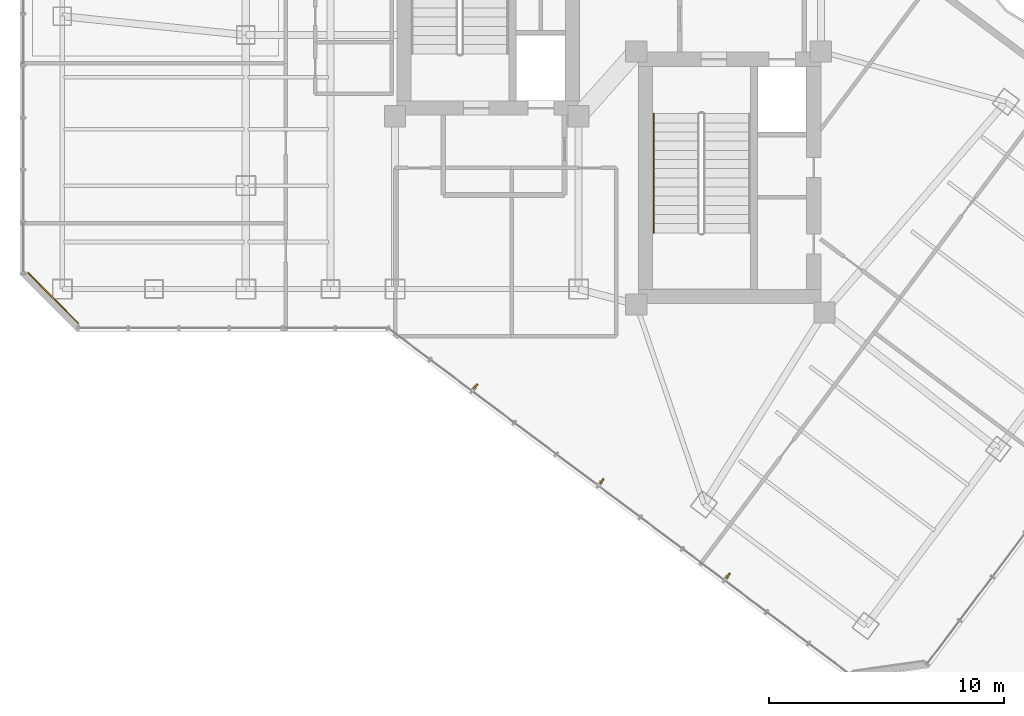
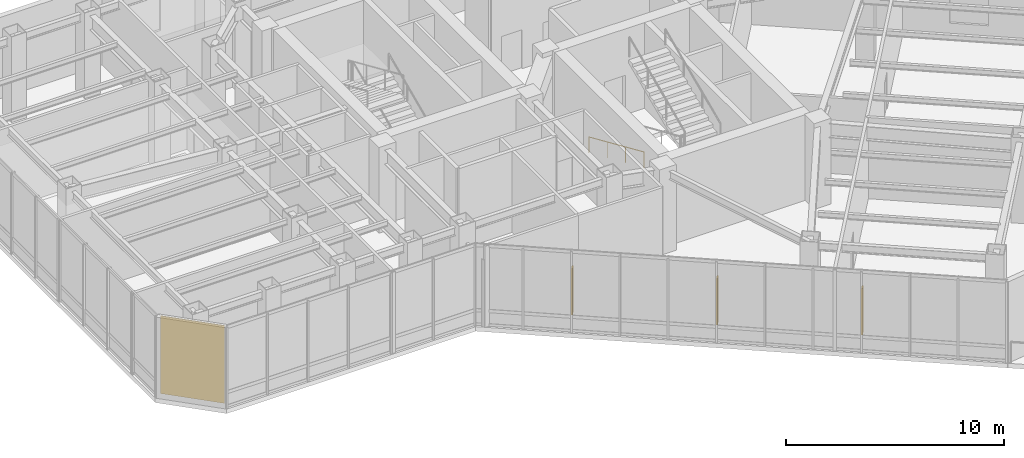
# One storey, part 26 of 30: 3 shading devices, 1 covering, 1 railing.
"""IFC4 building model written with IfcOpenShell, lengths in metres."""

from ifc_helpers import new_model, si_unit, direction, frame, origin, origin_2d, place, context, subcontext, project, spatial, rectangle, circle, extrude, material, layer, layer_set, type_object, element, save


model = new_model("IFC4")

# Units and contexts
model_context = context("Model", 3, precision=1e-05, world=origin(), true_north=direction((0.0, 1.0)))
body_context = subcontext(model_context, "Body", "Model", "MODEL_VIEW")
ifc_project = project(units=[si_unit("LENGTHUNIT", "METRE"), si_unit("AREAUNIT", "SQUARE_METRE"), si_unit("VOLUMEUNIT", "CUBIC_METRE"), si_unit("PLANEANGLEUNIT", "RADIAN"), si_unit("MASSUNIT", "GRAM", prefix="KILO")], contexts=[model_context])

# Site, building, storey
site_placement = place(None, origin())
site = spatial("IfcSite", under=ifc_project, at=site_placement, CompositionType="ELEMENT")
building_placement = place(site_placement, origin())
building = spatial("IfcBuilding", under=site, at=building_placement, Name="Hatsunagi Terrace Concourse", CompositionType="ELEMENT")
storey_placement = place(building_placement, frame((0.0, 0.0, 130.050048828125)))
storey = spatial("IfcBuildingStorey", under=building, at=storey_placement, Name="L34", CompositionType="ELEMENT", Elevation=130.050048828125)

# Railing
ifc_material_1 = material(Name="Stainless steel", Category="steel")
ifc_layer_1 = layer(ifc_material_1, 0.044921875)
ifc_layer_set_1 = layer_set([ifc_layer_1], Name="StairPitchHandrail_Tower2000")
railing_type = type_object("IfcRailingType", Name="StairPitchHandrail_Tower2000", PredefinedType="HANDRAIL", material=ifc_layer_set_1)
railing_placement = place(storey_placement, frame((36.550048828125, 32.659912109375, 0.17138671875)))
element("IfcRailing", 1, at=railing_placement, inside=storey, type_object=railing_type, Name="L34 ST-B stair handrail 1", PredefinedType="HANDRAIL", context=body_context, shape_type="SweptSolid", body=[
    extrude(circle(Radius=0.02392578125, at=origin_2d()), frame((0.0, 0.0, 0.8759765625), z_axis=(0.0, -0.915461880969, 0.402404702373), x_axis=(1.0, 0.0, 0.0)), (0.0, 0.0, 1.0), 5.5380859375),
    extrude(circle(Radius=0.02099609375, at=origin_2d()), origin(), (0.0, 0.0, 1.0), 0.851806640625),
    extrude(circle(Radius=0.02099609375, at=origin_2d()), frame((0.0, -1.68994140625, 0.742919921875)), (0.0, 0.0, 1.0), 0.851806640625),
    extrude(circle(Radius=0.02099609375, at=origin_2d()), frame((0.0, -3.3798828125, 1.485595703125)), (0.0, 0.0, 1.0), 0.851806640625),
    extrude(circle(Radius=0.02099609375, at=origin_2d()), frame((0.0, -5.06982421875, 2.228515625)), (0.0, 0.0, 1.0), 0.851806640625),
])

# Shading devices
ifc_material_2 = material(Name="Extruded Unglazed Terracotta Baguette", Category="masonry")
shading_device_type = type_object("IfcShadingDeviceType", Name="TerracottaFinScreen_260x70", PredefinedType="USERDEFINED", material=ifc_material_2)
for number, where, z_axis, x_axis, name in (
    (2, (39.702880859375, 13.010986328125, 0.849853515625), (0.0, 0.0, 1.0), (-0.800005211305, 0.599993051531, 0.0), "Terracotta Baguette Fin Screen SCR-01"),
    (3, (34.337890625, 17.033935546875, 0.849853515625), (0.0, 0.0, 1.0), (-0.800005211305, 0.599993051531, 0.0), "Terracotta Baguette Fin Screen SCR-01"),
    (4, (28.97412109375, 21.05810546875, 0.849853515625), (0.0, 0.0, 1.0), (-0.800005211305, 0.599993051531, 0.0), "Terracotta Baguette Fin Screen SCR-01"),
):
    element("IfcShadingDevice", number, at=place(storey_placement, frame(where, z_axis=z_axis, x_axis=x_axis)), inside=storey, type_object=shading_device_type, Name=name, ObjectType="SUNSHADE", PredefinedType="USERDEFINED", context=body_context, shape_type="SweptSolid", body=[
        extrude(rectangle(XDim=0.070068359375, YDim=0.260009765625, at=origin_2d()), origin(), (0.0, 0.0, 1.0), 2.60009765625),
    ])

# Covering
ifc_material_3 = material(Name="Unglazed Warm Terracotta Rainscreen Tile", Category="masonry")
ifc_layer_2 = layer(ifc_material_3, 0.044921875)
ifc_layer_set_2 = layer_set([ifc_layer_2], Name="TerracottaRainscreenCladding_45")
covering_type = type_object("IfcCoveringType", Name="TerracottaRainscreenCladding_45", PredefinedType="CLADDING", material=ifc_layer_set_2)
covering_placement = place(storey_placement, frame((11.013916015625, 24.81396484375, 0.099853515625), z_axis=(0.0, 0.0, 1.0), x_axis=(-0.707106781187, 0.707106781187, 0.0)))
element("IfcCovering", 5, at=covering_placement, inside=storey, type_object=covering_type, Name="Terracotta Rainscreen Cladding L34-08", PredefinedType="CLADDING", context=body_context, shape_type="SweptSolid", body=[
    extrude(rectangle(XDim=3.0380859375, YDim=0.044921875, at=origin_2d()), origin(), (0.0, 0.0, 1.0), 4.35009765625),
])

save(model, "model.ifc")
